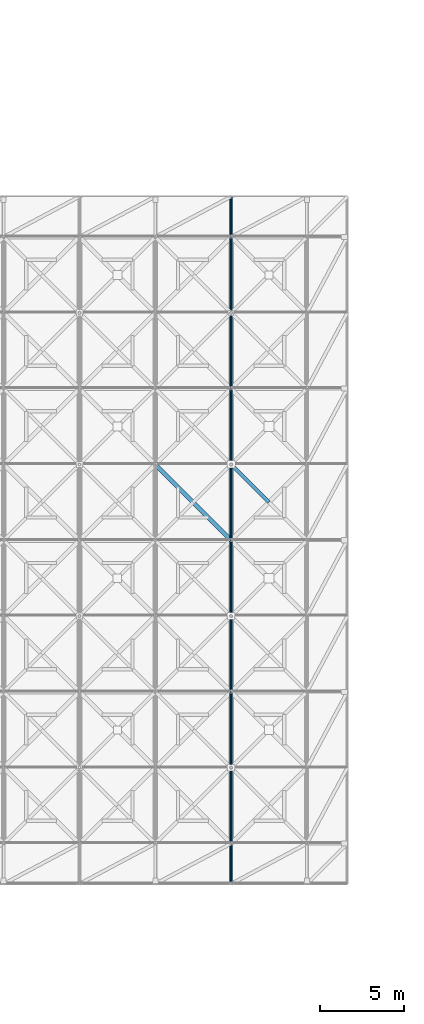
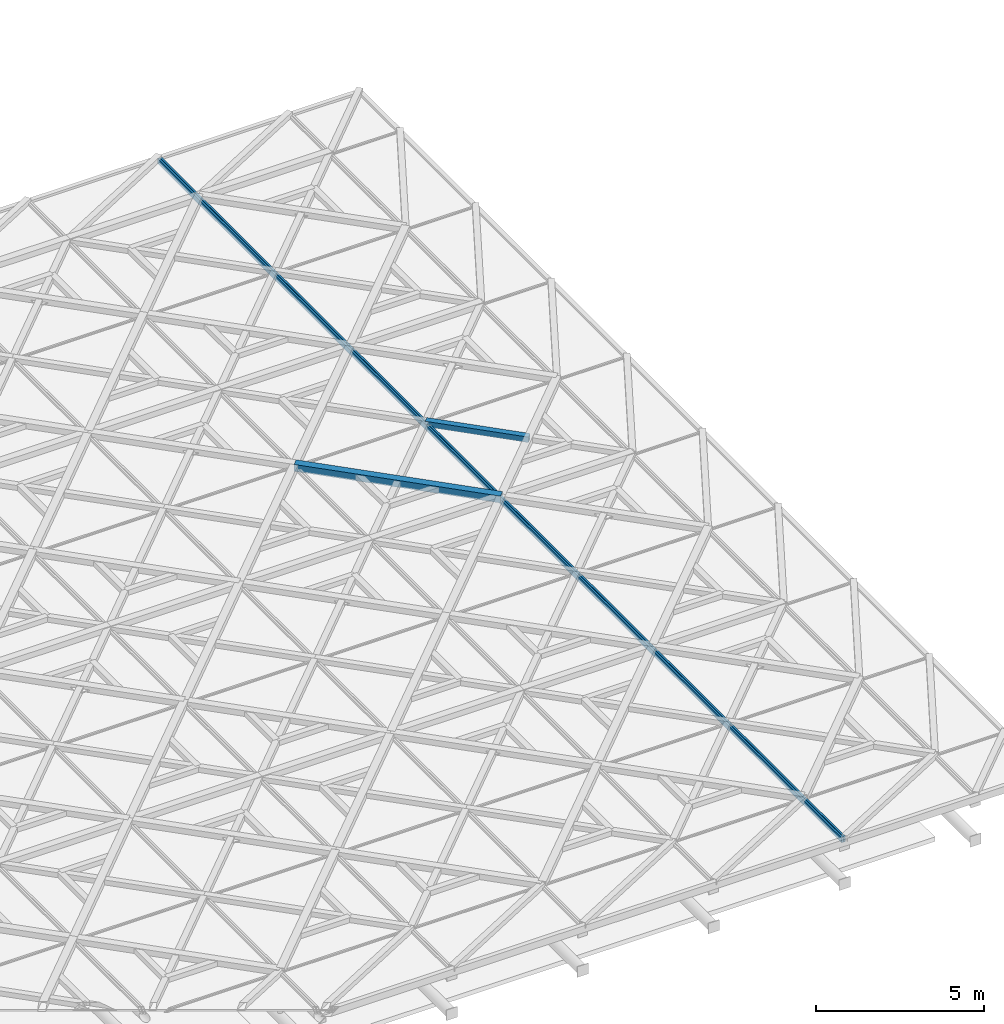
# One storey, part 47 of 80: 4 members, 2 elements without a shape of their own.
"""IFC4 building model written with IfcOpenShell, lengths in metres."""

from ifc_helpers import new_model, si_unit, direction, frame, origin, origin_2d, place, context, subcontext, project, spatial, rectangle, hollow_rectangle, extrude, material, material_profile, profile_set, type_object, element, aggregate, save


model = new_model("IFC4")

# Units and contexts
model_context = context("Model", 3, precision=1e-05, world=origin(), true_north=direction((0.0, 1.0)))
body_context = subcontext(model_context, "Body", "Model", "MODEL_VIEW")
ifc_project = project(units=[si_unit("LENGTHUNIT", "METRE"), si_unit("AREAUNIT", "SQUARE_METRE"), si_unit("VOLUMEUNIT", "CUBIC_METRE"), si_unit("PLANEANGLEUNIT", "RADIAN"), si_unit("MASSUNIT", "GRAM", prefix="KILO"), si_unit("THERMODYNAMICTEMPERATUREUNIT", "KELVIN"), si_unit("POWERUNIT", "WATT")], contexts=[model_context])

# Site, building, storey
site_placement = place(None, origin())
site = spatial("IfcSite", under=ifc_project, at=site_placement, CompositionType="ELEMENT")
building_placement = place(site_placement, origin())
building = spatial("IfcBuilding", under=site, at=building_placement, Name="Tallowbark Science Centre", CompositionType="ELEMENT")
storey_placement = place(building_placement, frame((0.0, 0.0, 25.949951171875)))
storey = spatial("IfcBuildingStorey", under=building, at=storey_placement, Name="ROOF", CompositionType="ELEMENT", Elevation=25.949951171875)

# Curtain wall, member
ifc_material_1 = material(Name="Blue-Tinted Laminated Low-E Skylight Glass", Category="glass")
curtain_wall_type = type_object("IfcCurtainWallType", Name="CW-SKY-ROOF", PredefinedType="NOTDEFINED", material=ifc_material_1)
curtain_wall_1_placement = place(storey_placement, origin())
curtain_wall_1 = element("IfcCurtainWall", 1, at=curtain_wall_1_placement, inside=storey, type_object=curtain_wall_type, Name="Exhibition Star-Screen Skylight Bay 10", PredefinedType="NOTDEFINED")
ifc_material_2 = material(Name="Anodised Architectural Aluminium Alloy 6063-T6", Category="aluminium")
ifc_material_profile_1 = material_profile(ifc_material_2, rectangle(XDim=0.06494140625, YDim=0.179931640625, at=origin_2d()), Name="ALU65x180")
ifc_profile_set_1 = profile_set([ifc_material_profile_1], Name="Anodised Architectural Aluminium Alloy 6063-T6")
member_type_1 = type_object("IfcMemberType", Name="CWM-SKY-MUL", PredefinedType="MULLION", material=ifc_profile_set_1)
member_1_placement = place(storey_placement, frame((98.9599609375, 2.14990234375, 0.35205078125), z_axis=(0.0, 1.0, 0.0), x_axis=(-1.0, 0.0, 0.0)))
member_1 = element("IfcMember", 2, at=member_1_placement, type_object=member_type_1, Name="Skylight Bay 10 Mullion E", PredefinedType="MULLION", context=body_context, shape_type="SweptSolid", body=[
    extrude(rectangle(XDim=0.06494140625, YDim=0.179931640625, at=origin_2d()), origin(), (0.0, 0.0, 1.0), 40.7001953125),
])
aggregate(curtain_wall_1, [member_1])

curtain_wall_2_placement = place(storey_placement, origin())
curtain_wall_2 = element("IfcCurtainWall", 3, at=curtain_wall_2_placement, inside=storey, type_object=curtain_wall_type, Name="Exhibition Star-Screen Skylight Bay 11", PredefinedType="NOTDEFINED")
member_2_placement = place(storey_placement, frame((99.0400390625, 2.14990234375, 0.35205078125), z_axis=(0.0, 1.0, 0.0), x_axis=(-1.0, 0.0, 0.0)))
member_2 = element("IfcMember", 4, at=member_2_placement, type_object=member_type_1, Name="Skylight Bay 11 Mullion W", PredefinedType="MULLION", context=body_context, shape_type="SweptSolid", body=[
    extrude(rectangle(XDim=0.06494140625, YDim=0.179931640625, at=origin_2d()), origin(), (0.0, 0.0, 1.0), 40.7001953125),
])
aggregate(curtain_wall_2, [member_2])

# Members
ifc_material_3 = material(Name="White Architectural Painted Steel Grade C350L0 (350 MPa)", Category="steel")
ifc_material_profile_2 = material_profile(ifc_material_3, hollow_rectangle(XDim=0.25, YDim=0.25, WallThickness=0.009033203125, at=origin_2d()), Name="250x250x9.0SHS")
ifc_profile_set_2 = profile_set([ifc_material_profile_2], Name="White Architectural Painted Steel Grade C350L0 (350 MPa)")
member_type_2 = type_object("IfcMemberType", Name="SCR-CHD200", PredefinedType="CHORD", material=ifc_profile_set_2)
member_3_placement = place(storey_placement, frame((94.5, 27.0, 0.449951171875), z_axis=(0.707106781187, -0.707106781187, 0.0), x_axis=(0.707106781187, 0.707106781187, 0.0)))
element("IfcMember", 5, at=member_3_placement, inside=storey, type_object=member_type_2, Name="Star Screen Octagram Diamond Chord TOP-72-4", PredefinedType="CHORD", context=body_context, shape_type="SweptSolid", body=[
    extrude(hollow_rectangle(XDim=0.25, YDim=0.25, WallThickness=0.009033203125, at=origin_2d()), origin(), (0.0, 0.0, 1.0), 6.364013671875),
])
ifc_material_profile_3 = material_profile(ifc_material_3, hollow_rectangle(XDim=0.199951171875, YDim=0.199951171875, WallThickness=0.009033203125, at=origin_2d()), Name="200x200x9.0SHS")
ifc_profile_set_3 = profile_set([ifc_material_profile_3], Name="White Architectural Painted Steel Grade C350L0 (350 MPa)")
member_type_3 = type_object("IfcMemberType", Name="SCR-STAR139", PredefinedType="BRACE", material=ifc_profile_set_3)
member_4_placement = place(storey_placement, frame((99.0, 27.0, 0.449951171875), z_axis=(0.707106781187, -0.707106781187, 0.0), x_axis=(0.707106781187, 0.707106781187, 0.0)))
element("IfcMember", 6, at=member_4_placement, inside=storey, type_object=member_type_3, Name="Star Screen Split X-Diagonal D2C TOP-72", PredefinedType="BRACE", context=body_context, shape_type="SweptSolid", body=[
    extrude(hollow_rectangle(XDim=0.199951171875, YDim=0.199951171875, WallThickness=0.009033203125, at=origin_2d()), origin(), (0.0, 0.0, 1.0), 3.181884765625),
])

save(model, "model.ifc")
